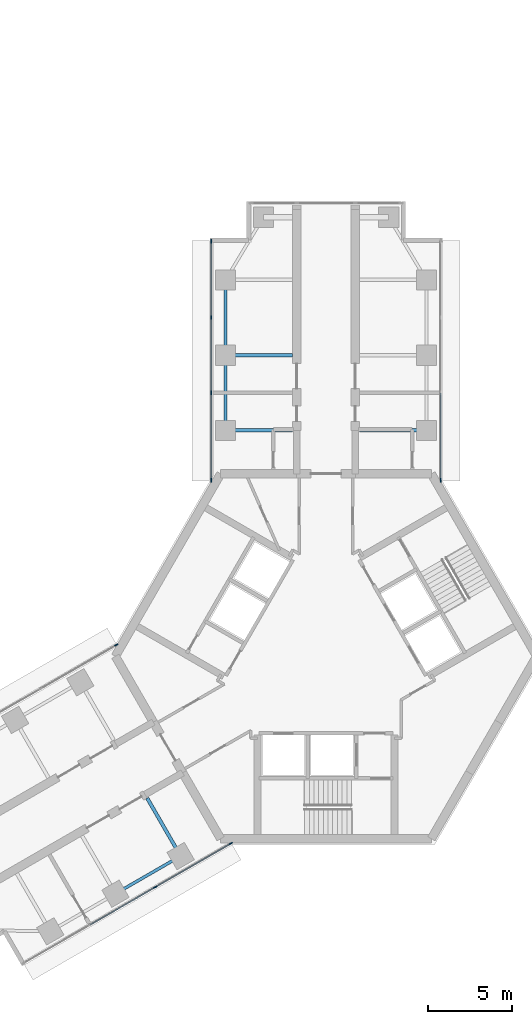
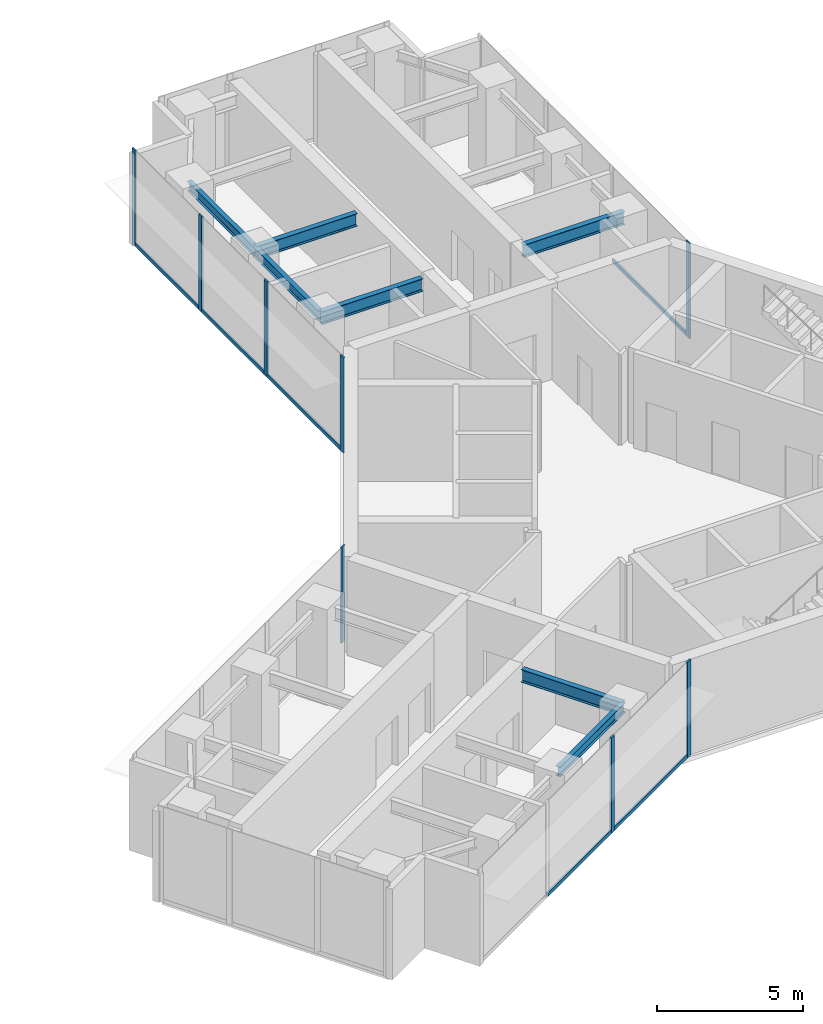
# One storey, part 8 of 17: 14 members, 7 beams, 4 elements without a shape of their own.
"""IFC4 building model written with IfcOpenShell, lengths in metres."""

from ifc_helpers import new_model, si_unit, direction, frame, origin, origin_2d, place, context, subcontext, project, spatial, rectangle, i_section, extrude, material, material_profile, profile_set, type_object, element, aggregate, save


model = new_model("IFC4")

# Units and contexts
model_context = context("Model", 3, precision=1e-05, world=origin(), true_north=direction((0.0, 1.0)))
body_context = subcontext(model_context, "Body", "Model", "MODEL_VIEW")
ifc_project = project(units=[si_unit("LENGTHUNIT", "METRE"), si_unit("AREAUNIT", "SQUARE_METRE"), si_unit("VOLUMEUNIT", "CUBIC_METRE"), si_unit("PLANEANGLEUNIT", "RADIAN"), si_unit("MASSUNIT", "GRAM", prefix="KILO")], contexts=[model_context])

# Site, building, storey
site_placement = place(None, origin())
site = spatial("IfcSite", under=ifc_project, at=site_placement, CompositionType="ELEMENT")
building_placement = place(site_placement, origin())
building = spatial("IfcBuilding", under=site, at=building_placement, Name="Upepo Twin Towers", CompositionType="ELEMENT")
storey_placement = place(building_placement, frame((0.0, 0.0, 174.5)))
storey = spatial("IfcBuildingStorey", under=building, at=storey_placement, Name="L42", CompositionType="ELEMENT", Elevation=174.5)

# Beams
ifc_material_1 = material(Name="Steel S355", Category="steel")
ifc_material_profile_1 = material_profile(ifc_material_1, i_section(OverallWidth=0.177978515625, OverallDepth=0.406494140625, WebThickness=0.0078125, FlangeThickness=0.0126953125, FilletRadius=0.01025390625, at=origin_2d()), Name="UB 406x178x60")
ifc_profile_set_1 = profile_set([ifc_material_profile_1], Name="Steel S355")
beam_type_1 = type_object("IfcBeamType", Name="Beam UB 406x178x60", PredefinedType="BEAM", material=ifc_profile_set_1)
for number, where, z_axis, x_axis, name in (
    (1, (52.5, -4.5, 3.5966796875), (0.0, 1.0, 0.0), (-1.0, 0.0, 0.0), "T2 edge beam AL 13.5-18.0"),
    (2, (52.5, 0.0, 3.5966796875), (0.0, 1.0, 0.0), (-1.0, 0.0, 0.0), "T2 edge beam AL 18.0-22.5"),
):
    element("IfcBeam", number, at=place(storey_placement, frame(where, z_axis=z_axis, x_axis=x_axis)), inside=storey, type_object=beam_type_1, Name=name, PredefinedType="BEAM", context=body_context, shape_type="SweptSolid", body=[
        extrude(i_section(OverallWidth=0.177978515625, OverallDepth=0.406494140625, WebThickness=0.0078125, FlangeThickness=0.0126953125, FilletRadius=0.01025390625, at=origin_2d()), origin(), (0.0, 0.0, 1.0), 4.5),
    ])
beam_placement = place(storey_placement, frame((49.80859375, -29.946044921875, 3.5966796875), z_axis=(-0.866017533419, -0.500013631625, 0.0), x_axis=(0.500013631625, -0.866017533419, 0.0)))
element("IfcBeam", 3, at=beam_placement, inside=storey, type_object=beam_type_1, Name="T2 edge beam BL 13.5-18.0", PredefinedType="BEAM", context=body_context, shape_type="SweptSolid", body=[
    extrude(i_section(OverallWidth=0.177978515625, OverallDepth=0.406494140625, WebThickness=0.0078125, FlangeThickness=0.0126953125, FilletRadius=0.01025390625, at=origin_2d()), origin(), (0.0, 0.0, 1.0), 4.499755859375),
])
ifc_material_2 = material(Name="Steel S355", Category="steel")
ifc_material_profile_2 = material_profile(ifc_material_2, i_section(OverallWidth=0.209228515625, OverallDepth=0.533203125, WebThickness=0.010009765625, FlangeThickness=0.015625, FilletRadius=0.0126953125, at=origin_2d()), Name="UB 533x210x92")
ifc_profile_set_2 = profile_set([ifc_material_profile_2], Name="Steel S355")
beam_type_2 = type_object("IfcBeamType", Name="Beam UB 533x210x92", PredefinedType="BEAM", material=ifc_profile_set_2)
for number, where, z_axis, x_axis, name in (
    (4, (52.5, -4.5, 3.533447265625), (1.0, 0.0, 0.0), (0.0, 1.0, 0.0), "T2 girder AL at 13.5"),
    (5, (52.5, 0.0, 3.533447265625), (1.0, 0.0, 0.0), (0.0, 1.0, 0.0), "T2 girder AL at 18.0"),
    (6, (64.5, -4.5, 3.533447265625), (-1.0, 0.0, 0.0), (0.0, -1.0, 0.0), "T2 girder AR at 13.5"),
    (7, (49.80859375, -29.946044921875, 3.533447265625), (-0.49999894854, 0.866026010844, 0.0), (-0.866026010844, -0.49999894854, 0.0), "T2 girder BL at 13.5"),
):
    element("IfcBeam", number, at=place(storey_placement, frame(where, z_axis=z_axis, x_axis=x_axis)), inside=storey, type_object=beam_type_2, Name=name, PredefinedType="BEAM", context=body_context, shape_type="SweptSolid", body=[
        extrude(i_section(OverallWidth=0.209228515625, OverallDepth=0.533203125, WebThickness=0.010009765625, FlangeThickness=0.015625, FilletRadius=0.0126953125, at=origin_2d()), origin(), (0.0, 0.0, 1.0), 4.0),
    ])

# Curtain wall, members
ifc_material_3 = material(Name="Aluminium and fritted glass", Category="aluminium")
curtain_wall_type = type_object("IfcCurtainWallType", Name="Tower curtain wall TW3, fritted glass", PredefinedType="NOTDEFINED", material=ifc_material_3)
curtain_wall_1_placement = place(storey_placement, origin())
curtain_wall_1 = element("IfcCurtainWall", 8, at=curtain_wall_1_placement, inside=storey, type_object=curtain_wall_type, Name="T2 L42 wing A flank L curtain wall", PredefinedType="NOTDEFINED")
ifc_material_4 = material(Name="Aluminium mullion", Category="aluminium")
ifc_material_profile_3 = material_profile(ifc_material_4, rectangle(XDim=0.06494140625, YDim=0.22509765625, at=origin_2d()), Name="MULLION 65x225")
ifc_profile_set_3 = profile_set([ifc_material_profile_3], Name="Aluminium mullion")
member_type_1 = type_object("IfcMemberType", Name="Mullion 65x225 TW3", PredefinedType="MULLION", material=ifc_profile_set_3)
member_1_placement = place(storey_placement, frame((51.64990234375, -7.48046875, 0.0), z_axis=(0.0, 0.0, 1.0), x_axis=(-1.0, 0.0, 0.0)))
member_1 = element("IfcMember", 9, at=member_1_placement, type_object=member_type_1, Name="T2 L42 wing A flank L curtain wall mullion 1", PredefinedType="MULLION", context=body_context, shape_type="SweptSolid", body=[
    extrude(rectangle(XDim=0.06494140625, YDim=0.22509765625, at=origin_2d()), origin(), (0.0, 0.0, 1.0), 4.0),
])
member_2_placement = place(storey_placement, frame((51.64990234375, -2.25, 0.0), z_axis=(0.0, 0.0, 1.0), x_axis=(-1.0, 0.0, 0.0)))
member_2 = element("IfcMember", 10, at=member_2_placement, type_object=member_type_1, Name="T2 L42 wing A flank L curtain wall mullion 2", PredefinedType="MULLION", context=body_context, shape_type="SweptSolid", body=[
    extrude(rectangle(XDim=0.06494140625, YDim=0.22509765625, at=origin_2d()), origin(), (0.0, 0.0, 1.0), 4.0),
])
member_3_placement = place(storey_placement, frame((51.64990234375, 2.25, 0.0), z_axis=(0.0, 0.0, 1.0), x_axis=(-1.0, 0.0, 0.0)))
member_3 = element("IfcMember", 11, at=member_3_placement, type_object=member_type_1, Name="T2 L42 wing A flank L curtain wall mullion 3", PredefinedType="MULLION", context=body_context, shape_type="SweptSolid", body=[
    extrude(rectangle(XDim=0.06494140625, YDim=0.22509765625, at=origin_2d()), origin(), (0.0, 0.0, 1.0), 4.0),
])
member_4_placement = place(storey_placement, frame((51.64990234375, 6.8173828125, 0.0), z_axis=(0.0, 0.0, 1.0), x_axis=(-1.0, 0.0, 0.0)))
member_4 = element("IfcMember", 12, at=member_4_placement, type_object=member_type_1, Name="T2 L42 wing A flank L curtain wall mullion 4", PredefinedType="MULLION", context=body_context, shape_type="SweptSolid", body=[
    extrude(rectangle(XDim=0.06494140625, YDim=0.22509765625, at=origin_2d()), origin(), (0.0, 0.0, 1.0), 4.0),
])

# Curtain wall, member
curtain_wall_2_placement = place(storey_placement, origin())
curtain_wall_2 = element("IfcCurtainWall", 13, at=curtain_wall_2_placement, inside=storey, type_object=curtain_wall_type, Name="T2 L42 wing A flank R curtain wall", PredefinedType="NOTDEFINED")
member_5_placement = place(storey_placement, frame((65.35009765625, -7.48046875, 0.0), z_axis=(0.0, 0.0, 1.0), x_axis=(1.0, 0.0, 0.0)))
member_5 = element("IfcMember", 14, at=member_5_placement, type_object=member_type_1, Name="T2 L42 wing A flank R curtain wall mullion 4", PredefinedType="MULLION", context=body_context, shape_type="SweptSolid", body=[
    extrude(rectangle(XDim=0.06494140625, YDim=0.22509765625, at=origin_2d()), origin(), (0.0, 0.0, 1.0), 4.0),
])

# Curtain wall, members
curtain_wall_3_placement = place(storey_placement, origin())
curtain_wall_3 = element("IfcCurtainWall", 15, at=curtain_wall_3_placement, inside=storey, type_object=curtain_wall_type, Name="T2 L42 wing B flank L curtain wall", PredefinedType="NOTDEFINED")
member_6_placement = place(storey_placement, frame((52.814697265625, -29.192138671875, 0.0), z_axis=(0.0, 0.0, 1.0), x_axis=(0.500000026527, -0.866025388469, 0.0)))
member_6 = element("IfcMember", 16, at=member_6_placement, type_object=member_type_1, Name="T2 L42 wing B flank L curtain wall mullion 1", PredefinedType="MULLION", context=body_context, shape_type="SweptSolid", body=[
    extrude(rectangle(XDim=0.06494140625, YDim=0.22509765625, at=origin_2d()), origin(), (0.0, 0.0, 1.0), 4.0),
])
member_7_placement = place(storey_placement, frame((48.28515625, -31.807373046875, 0.0), z_axis=(0.0, 0.0, 1.0), x_axis=(0.500000026527, -0.866025388469, 0.0)))
member_7 = element("IfcMember", 17, at=member_7_placement, type_object=member_type_1, Name="T2 L42 wing B flank L curtain wall mullion 2", PredefinedType="MULLION", context=body_context, shape_type="SweptSolid", body=[
    extrude(rectangle(XDim=0.06494140625, YDim=0.22509765625, at=origin_2d()), origin(), (0.0, 0.0, 1.0), 4.0),
])

# Curtain wall, member
curtain_wall_4_placement = place(storey_placement, origin())
curtain_wall_4 = element("IfcCurtainWall", 18, at=curtain_wall_4_placement, inside=storey, type_object=curtain_wall_type, Name="T2 L42 wing B flank R curtain wall", PredefinedType="NOTDEFINED")
member_8_placement = place(storey_placement, frame((45.96484375, -17.32763671875, 0.0), z_axis=(0.0, 0.0, 1.0), x_axis=(-0.500000026527, 0.866025388469, 0.0)))
member_8 = element("IfcMember", 19, at=member_8_placement, type_object=member_type_1, Name="T2 L42 wing B flank R curtain wall mullion 4", PredefinedType="MULLION", context=body_context, shape_type="SweptSolid", body=[
    extrude(rectangle(XDim=0.06494140625, YDim=0.22509765625, at=origin_2d()), origin(), (0.0, 0.0, 1.0), 4.0),
])
aggregate(curtain_wall_4, [member_8])

# Member
ifc_material_5 = material(Name="Aluminium transom", Category="aluminium")
ifc_material_profile_4 = material_profile(ifc_material_5, rectangle(XDim=0.06494140625, YDim=0.14990234375, at=origin_2d()), Name="TRANSOM 65x150")
ifc_profile_set_4 = profile_set([ifc_material_profile_4], Name="Aluminium transom")
member_type_2 = type_object("IfcMemberType", Name="Transom 65x150 TW3", PredefinedType="USERDEFINED", material=ifc_profile_set_4)
member_9_placement = place(storey_placement, frame((51.64990234375, -7.447998046875, 0.074951171875), z_axis=(0.0, 1.0, 0.0), x_axis=(-1.0, 0.0, 0.0)))
member_9 = element("IfcMember", 20, at=member_9_placement, type_object=member_type_2, Name="T2 L42 wing A flank L curtain wall transom 1", ObjectType="TRANSOM", PredefinedType="USERDEFINED", context=body_context, shape_type="SweptSolid", body=[
    extrude(rectangle(XDim=0.06494140625, YDim=0.14990234375, at=origin_2d()), origin(), (0.0, 0.0, 1.0), 5.16552734375),
])

member_10_placement = place(storey_placement, frame((51.64990234375, -2.217529296875, 0.074951171875), z_axis=(0.0, 1.0, 0.0), x_axis=(-1.0, 0.0, 0.0)))
member_10 = element("IfcMember", 21, at=member_10_placement, type_object=member_type_2, Name="T2 L42 wing A flank L curtain wall transom 2", ObjectType="TRANSOM", PredefinedType="USERDEFINED", context=body_context, shape_type="SweptSolid", body=[
    extrude(rectangle(XDim=0.06494140625, YDim=0.14990234375, at=origin_2d()), origin(), (0.0, 0.0, 1.0), 4.43505859375),
])

member_11_placement = place(storey_placement, frame((51.64990234375, 2.282470703125, 0.074951171875), z_axis=(0.0, 1.0, 0.0), x_axis=(-1.0, 0.0, 0.0)))
member_11 = element("IfcMember", 22, at=member_11_placement, type_object=member_type_2, Name="T2 L42 wing A flank L curtain wall transom 3", ObjectType="TRANSOM", PredefinedType="USERDEFINED", context=body_context, shape_type="SweptSolid", body=[
    extrude(rectangle(XDim=0.06494140625, YDim=0.14990234375, at=origin_2d()), origin(), (0.0, 0.0, 1.0), 4.50244140625),
])

aggregate(curtain_wall_1, [member_1, member_2, member_3, member_4, member_9, member_10, member_11])

member_12_placement = place(storey_placement, frame((65.35009765625, -2.282470703125, 0.074951171875), z_axis=(0.0, -1.0, 0.0), x_axis=(1.0, 0.0, 0.0)))
member_12 = element("IfcMember", 23, at=member_12_placement, type_object=member_type_2, Name="T2 L42 wing A flank R curtain wall transom 3", ObjectType="TRANSOM", PredefinedType="USERDEFINED", context=body_context, shape_type="SweptSolid", body=[
    extrude(rectangle(XDim=0.06494140625, YDim=0.14990234375, at=origin_2d()), origin(), (0.0, 0.0, 1.0), 5.16552734375),
])

aggregate(curtain_wall_2, [member_5, member_12])

member_13_placement = place(storey_placement, frame((52.78662109375, -29.208251953125, 0.074951171875), z_axis=(-0.86602108507, -0.500007480159, 0.0), x_axis=(0.500007480159, -0.86602108507, 0.0)))
member_13 = element("IfcMember", 24, at=member_13_placement, type_object=member_type_2, Name="T2 L42 wing B flank L curtain wall transom 1", ObjectType="TRANSOM", PredefinedType="USERDEFINED", context=body_context, shape_type="SweptSolid", body=[
    extrude(rectangle(XDim=0.06494140625, YDim=0.14990234375, at=origin_2d()), origin(), (0.0, 0.0, 1.0), 5.16552734375),
])

member_14_placement = place(storey_placement, frame((48.2568359375, -31.823486328125, 0.074951171875), z_axis=(-0.866022410713, -0.500005184116, 0.0), x_axis=(0.500005184116, -0.866022410713, 0.0)))
member_14 = element("IfcMember", 25, at=member_14_placement, type_object=member_type_2, Name="T2 L42 wing B flank L curtain wall transom 2", ObjectType="TRANSOM", PredefinedType="USERDEFINED", context=body_context, shape_type="SweptSolid", body=[
    extrude(rectangle(XDim=0.06494140625, YDim=0.14990234375, at=origin_2d()), origin(), (0.0, 0.0, 1.0), 4.43505859375),
])

aggregate(curtain_wall_3, [member_6, member_7, member_13, member_14])

save(model, "model.ifc")
